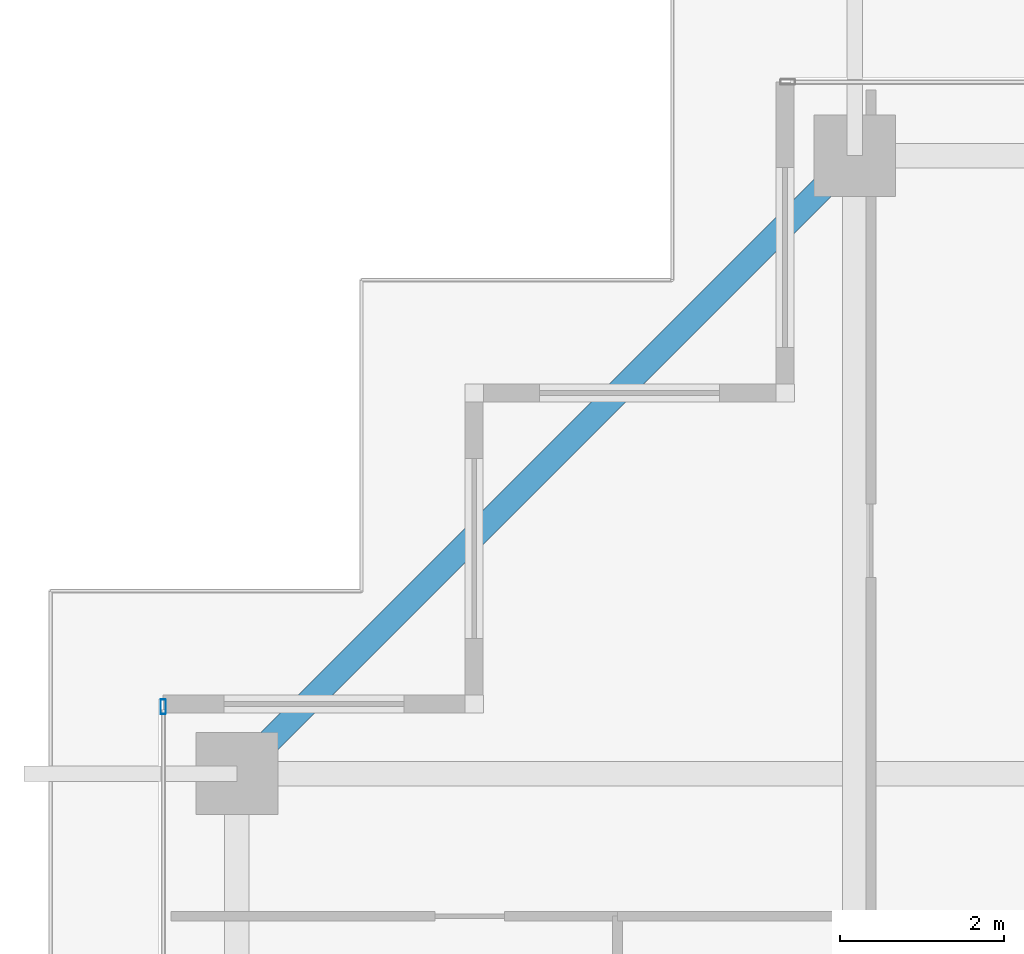
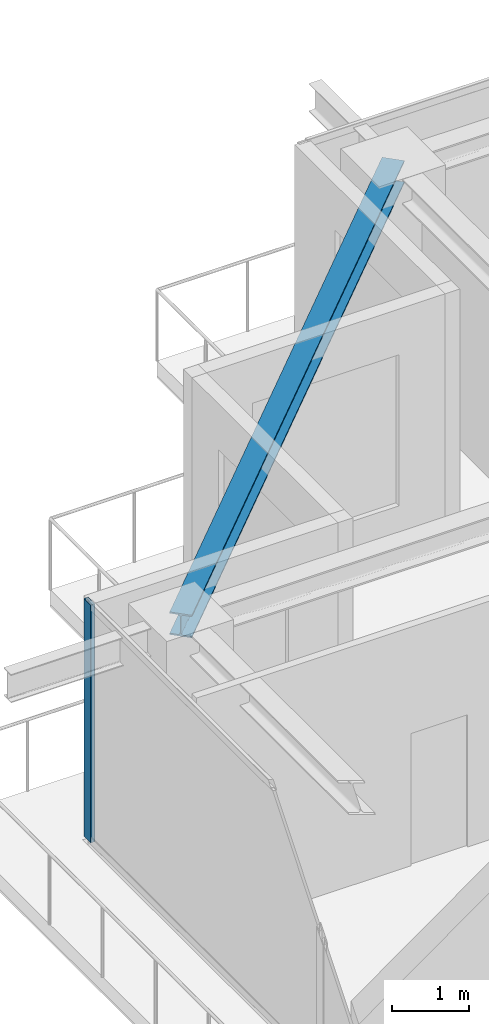
# One storey, part 20 of 41: 1 beam, 1 member, 1 element without a shape of its own.
"""IFC4 building model written with IfcOpenShell, lengths in metres."""

from ifc_helpers import new_model, si_unit, direction, frame, origin, origin_2d, place, context, subcontext, project, spatial, hollow_rectangle, i_section, extrude, source, transform, mapped, material, layer, layer_set, material_profile, profile_set, type_object, element, aggregate, save


model = new_model("IFC4")

# Units and contexts
model_context = context("Model", 3, precision=1e-05, world=origin(), true_north=direction((0.0, 1.0)))
body_context = subcontext(model_context, "Body", "Model", "MODEL_VIEW")
ifc_project = project(units=[si_unit("LENGTHUNIT", "METRE"), si_unit("AREAUNIT", "SQUARE_METRE"), si_unit("VOLUMEUNIT", "CUBIC_METRE"), si_unit("PLANEANGLEUNIT", "RADIAN"), si_unit("MASSUNIT", "GRAM", prefix="KILO")], contexts=[model_context])

# Site, building, storey
site_placement = place(None, origin())
site = spatial("IfcSite", under=ifc_project, at=site_placement, CompositionType="ELEMENT")
building_placement = place(site_placement, origin())
building = spatial("IfcBuilding", under=site, at=building_placement, Name="Serunith Strait Residences", CompositionType="ELEMENT")
storey_placement = place(building_placement, frame((0.0, 0.0, 301.550048828125)))
storey = spatial("IfcBuildingStorey", under=building, at=storey_placement, Name="L75", CompositionType="ELEMENT", Elevation=301.550048828125)

# Beam
ifc_material_1 = material(Name="Steel S355J2", Category="steel")
ifc_material_profile_1 = material_profile(ifc_material_1, i_section(OverallWidth=0.300048828125, OverallDepth=0.360107421875, WebThickness=0.012451171875, FlangeThickness=0.0224609375, FilletRadius=0.027099609375, at=origin_2d()), Name="HEB 360")
ifc_profile_set_1 = profile_set([ifc_material_profile_1], Name="Steel S355J2")
beam_type = type_object("IfcBeamType", Name="BM-HEB360", PredefinedType="BEAM", material=ifc_profile_set_1)
shared_shape_1 = source(origin(), body_context, "Body", "SweptSolid", [
    extrude(i_section(OverallWidth=0.300048828125, OverallDepth=0.360107421875, WebThickness=0.012451171875, FlangeThickness=0.0224609375, FilletRadius=0.027099609375, at=origin_2d()), origin(), (0.0, 0.0, 1.0), 10.67724609375),
])
beam_placement = place(storey_placement, frame((17.64990234375, 47.10009765625, 3.576904296875), z_axis=(-0.707095348302, -0.707118213887, 0.0), x_axis=(0.707118213887, -0.707095348302, 0.0)))
element("IfcBeam", 1, at=beam_placement, inside=storey, type_object=beam_type, Name="L75 Perimeter Ring Beam 12", PredefinedType="BEAM", context=body_context, shape_type="MappedRepresentation", body=[
    mapped(shared_shape_1, transform((0.0, 0.0, 0.0), scale=1.0)),
])

# Curtain wall, member
ifc_material_2 = material(Name="Brushed Stainless-Silver Aluminium", Category="aluminium")
ifc_layer = layer(ifc_material_2, 0.199951171875, Name="Brushed Stainless-Silver Aluminium")
ifc_layer_set = layer_set([ifc_layer], Name="Brushed Stainless-Silver Aluminium")
curtain_wall_type = type_object("IfcCurtainWallType", Name="CW-SYS5", PredefinedType="NOTDEFINED", material=ifc_layer_set)
curtain_wall_placement = place(storey_placement, origin())
curtain_wall = element("IfcCurtainWall", 2, at=curtain_wall_placement, inside=storey, type_object=curtain_wall_type, Name="L75 W Unitised Fritted Curtain Wall", PredefinedType="NOTDEFINED")
ifc_material_profile_2 = material_profile(ifc_material_2, hollow_rectangle(XDim=0.06494140625, YDim=0.179931640625, WallThickness=0.00341796875, InnerFilletRadius=0.00537109375, OuterFilletRadius=0.0087890625, at=origin_2d()), Name="ALU 180x65x3.5")
ifc_profile_set_2 = profile_set([ifc_material_profile_2], Name="Brushed Stainless-Silver Aluminium")
member_type = type_object("IfcMemberType", Name="CW-SYS5-MULL", PredefinedType="MULLION", material=ifc_profile_set_2)
shared_shape_2 = source(origin(), body_context, "Body", "SweptSolid", [
    extrude(hollow_rectangle(XDim=0.06494140625, YDim=0.179931640625, WallThickness=0.00341796875, InnerFilletRadius=0.00537109375, OuterFilletRadius=0.0087890625, at=origin_2d()), origin(), (0.0, 0.0, 1.0), 3.77490234375),
])
member_placement = place(storey_placement, frame((9.199951171875, 40.367431640625, 0.0), z_axis=(0.0, 0.0, 1.0), x_axis=(1.0, 0.0, 0.0)))
member = element("IfcMember", 3, at=member_placement, type_object=member_type, Name="CW-5 mullion 1", PredefinedType="MULLION", context=body_context, shape_type="MappedRepresentation", body=[
    mapped(shared_shape_2, transform((0.0, 0.0, 0.0), scale=1.0)),
])
aggregate(curtain_wall, [member])

save(model, "model.ifc")
